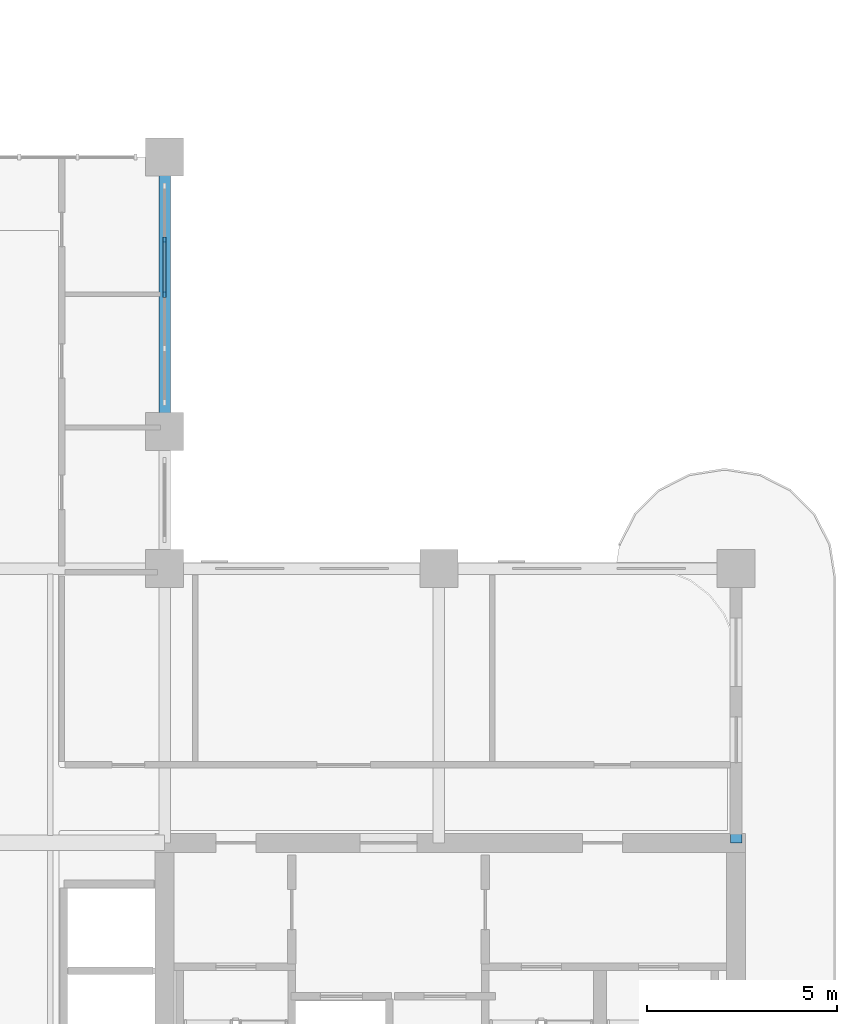
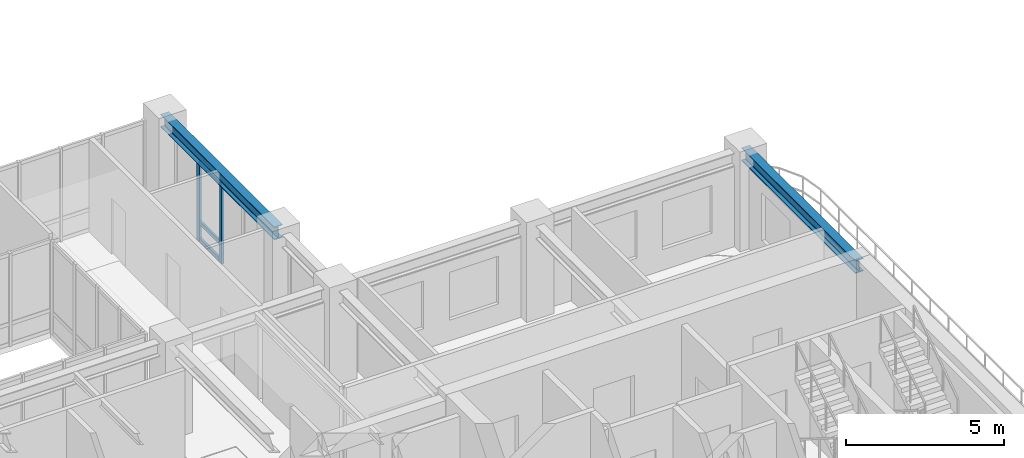
# One storey, part 4 of 20: 5 members, 2 beams, 1 element without a shape of its own.
"""IFC4 building model written with IfcOpenShell, lengths in metres."""

import ifcopenshell
import ifcopenshell.guid

model = None  # the IFC model being written
_history = None  # IfcOwnerHistory: only IFC2X3 demands one
_inside = {}  # id of a spatial element -> (the spatial element, [elements in it])
_under = {}  # id of a project, library or spatial element -> (it, [spatial elements below it])
_declared = {}  # id of a project -> (the project, [libraries it declares])
_typed = {}  # id of a type object -> (the type object, [elements of that type])
_made_of = {}  # id of a material, layer set ... -> (it, [elements and type objects made of it])


def new_model(schema):
    """Start an empty IFC model of exactly this schema.

    Asked for "IFC4X3", IfcOpenShell would pick the latest addendum, in which some entities
    have other attributes; the version numbers below select the first issue.
    IFC2X3 requires an IfcOwnerHistory on every rooted entity: one is made here for all.
    """
    global model, _history
    if schema == "IFC4X3":
        model = ifcopenshell.file(schema_version=(4, 3, 0, 0))
    else:
        model = ifcopenshell.file(schema=schema)
    _inside.clear()
    _under.clear()
    _declared.clear()
    _typed.clear()
    _made_of.clear()
    _history = None
    if model.schema == "IFC2X3":
        org = make("IfcOrganization", Name="unknown")
        user = make(
            "IfcPersonAndOrganization",
            ThePerson=make("IfcPerson", FamilyName="unknown"),
            TheOrganization=org,
        )
        app = make(
            "IfcApplication",
            ApplicationDeveloper=org,
            Version="unknown",
            ApplicationFullName="unknown",
            ApplicationIdentifier="unknown",
        )
        _history = make(
            "IfcOwnerHistory",
            OwningUser=user,
            OwningApplication=app,
            ChangeAction="ADDED",
            CreationDate=0,
        )
    return model


def make(cls, **values):
    """One entity of the class cls with the attributes given. An attribute that is None is left unset."""
    return model.create_entity(
        cls, **{name: value for name, value in values.items() if value is not None}
    )


def rooted(cls, **values):
    """An entity with a GlobalId (a new one), such as an element, a storey or a relation."""
    return make(cls, GlobalId=ifcopenshell.guid.new(), OwnerHistory=_history, **values)


def si_unit(unit_type, name, prefix=None):
    """IfcSIUnit, for example si_unit("LENGTHUNIT", "METRE", prefix="MILLI")."""
    return make("IfcSIUnit", UnitType=unit_type, Prefix=prefix, Name=name)


def derived_unit(unit_type, elements):
    """IfcDerivedUnit: a product of units, each with its exponent."""
    return make(
        "IfcDerivedUnit",
        Elements=[
            make("IfcDerivedUnitElement", Unit=unit, Exponent=power)
            for unit, power in elements
        ],
        UnitType=unit_type,
    )


def assignment(units):
    """IfcUnitAssignment: the units of a project."""
    return None if units is None else make("IfcUnitAssignment", Units=units)


def point(xyz):
    """IfcCartesianPoint."""
    return None if xyz is None else make("IfcCartesianPoint", Coordinates=xyz)


def direction(xyz):
    """IfcDirection."""
    return None if xyz is None else make("IfcDirection", DirectionRatios=xyz)


def frame(location, z_axis=None, x_axis=None):
    """IfcAxis2Placement3D, a coordinate frame: its origin and axes. An axis left out is left unset."""
    return make(
        "IfcAxis2Placement3D",
        Location=point(location),
        Axis=direction(z_axis),
        RefDirection=direction(x_axis),
    )


def frame_2d(location, x_axis=None):
    """IfcAxis2Placement2D, a coordinate frame in the plane: its origin and x axis."""
    return make(
        "IfcAxis2Placement2D", Location=point(location), RefDirection=direction(x_axis)
    )


def origin():
    """The frame at (0, 0, 0) with its axes left unset."""
    return frame((0.0, 0.0, 0.0))


def origin_2d():
    """The frame at (0, 0) in the plane with its x axis left unset."""
    return frame_2d((0.0, 0.0))


def place(relative_to, where):
    """IfcLocalPlacement: puts the frame where relative to a parent placement (None: the world)."""
    return make(
        "IfcLocalPlacement", PlacementRelTo=relative_to, RelativePlacement=where
    )


def context(
    kind, dimensions, precision=None, world=None, true_north=None, identifier=None
):
    """IfcGeometricRepresentationContext, for example the 3D "Model" context."""
    return make(
        "IfcGeometricRepresentationContext",
        ContextIdentifier=identifier,
        ContextType=kind,
        CoordinateSpaceDimension=dimensions,
        Precision=precision,
        WorldCoordinateSystem=world,
        TrueNorth=true_north,
    )


def subcontext(parent, identifier, kind, view, scale=None):
    """IfcGeometricRepresentationSubContext, for example "Body" below "Model"."""
    return make(
        "IfcGeometricRepresentationSubContext",
        ContextIdentifier=identifier,
        ContextType=kind,
        ParentContext=parent,
        TargetScale=scale,
        TargetView=view,
    )


def project(units=None, contexts=None):
    """IfcProject with its units and contexts."""
    return rooted(
        "IfcProject",
        Name="project",
        RepresentationContexts=contexts,
        UnitsInContext=assignment(units),
    )


def spatial(cls, under=None, at=None, **own):
    """A site, building, storey or space (cls), placed at a placement, below another one or the project."""
    s = rooted(cls, ObjectPlacement=at, **own)
    if under is not None:
        _under.setdefault(under.id(), (under, []))[1].append(s)
    return s


def profile(cls, at=None, kind="AREA", **sizes):
    """A parametric profile (cls). Its sizes go by their IFC names, for example OverallWidth=200.0."""
    return make(cls, ProfileType=kind, Position=at, **sizes)


def rectangle(**sizes):
    """IfcRectangleProfileDef."""
    return profile("IfcRectangleProfileDef", **sizes)


def i_section(**sizes):
    """IfcIShapeProfileDef."""
    return profile("IfcIShapeProfileDef", **sizes)


def extrude(swept, where, along, depth):
    """IfcExtrudedAreaSolid: the profile swept, set in the frame where, extruded along a direction by depth."""
    return make(
        "IfcExtrudedAreaSolid",
        SweptArea=swept,
        Position=where,
        ExtrudedDirection=direction(along),
        Depth=depth,
    )


def shape(context_of_items, identifier, shape_type, items):
    """IfcShapeRepresentation: the items that make up one representation, for example the "Body"."""
    return make(
        "IfcShapeRepresentation",
        ContextOfItems=context_of_items,
        RepresentationIdentifier=identifier,
        RepresentationType=shape_type,
        Items=items,
    )


def source(mapping_origin, context_of_items, identifier, shape_type, items):
    """IfcRepresentationMap: a shape defined once, which mapped items show again and again."""
    return make(
        "IfcRepresentationMap",
        MappingOrigin=mapping_origin,
        MappedRepresentation=shape(context_of_items, identifier, shape_type, items),
    )


def transform(
    local_origin,
    x_axis=None,
    y_axis=None,
    z_axis=None,
    scale=None,
    scale2=None,
    scale3=None,
    uniform=True,
):
    """IfcCartesianTransformationOperator3D, or its non-uniform kind. x_axis, y_axis, z_axis: its Axis1, 2, 3."""
    if uniform:
        return make(
            "IfcCartesianTransformationOperator3D",
            Axis1=direction(x_axis),
            Axis2=direction(y_axis),
            LocalOrigin=point(local_origin),
            Scale=scale,
            Axis3=direction(z_axis),
        )
    return make(
        "IfcCartesianTransformationOperator3DnonUniform",
        Axis1=direction(x_axis),
        Axis2=direction(y_axis),
        LocalOrigin=point(local_origin),
        Scale=scale,
        Axis3=direction(z_axis),
        Scale2=scale2,
        Scale3=scale3,
    )


def mapped(mapping_source, mapping_target):
    """IfcMappedItem: shows the shape of a source again, moved by a transform."""
    return make(
        "IfcMappedItem", MappingSource=mapping_source, MappingTarget=mapping_target
    )


def material(Name=None, Category=None):
    """IfcMaterial."""
    return make("IfcMaterial", Name=Name, Category=Category)


def layer(
    of_material, thickness, ventilated=None, Name=None, Category=None, Priority=None
):
    """IfcMaterialLayer: one layer of a wall or slab, of a material (None: an air gap)."""
    return make(
        "IfcMaterialLayer",
        Material=of_material,
        LayerThickness=thickness,
        IsVentilated=ventilated,
        Name=Name,
        Category=Category,
        Priority=Priority,
    )


def layer_set(layers, Name=None):
    """IfcMaterialLayerSet."""
    return make("IfcMaterialLayerSet", MaterialLayers=layers, LayerSetName=Name)


def material_profile(
    of_material, cross_section, Name=None, Category=None, Priority=None
):
    """IfcMaterialProfile: a cross section and its material."""
    return make(
        "IfcMaterialProfile",
        Name=Name,
        Material=of_material,
        Profile=cross_section,
        Priority=Priority,
        Category=Category,
    )


def profile_set(profiles, Name=None, composite=None):
    """IfcMaterialProfileSet."""
    return make(
        "IfcMaterialProfileSet",
        Name=Name,
        MaterialProfiles=profiles,
        CompositeProfile=composite,
    )


def made_of(thing, what):
    """Note that an element or type object is made of a material, layer set ...; save() writes the relation."""
    if what is not None:
        _made_of.setdefault(what.id(), (what, []))[1].append(thing)
    return thing


def type_object(cls, material=None, **own):
    """A type object (cls), such as IfcWallType, which elements share."""
    return made_of(rooted(cls, **own), material)


def type_shapes(of_type, sources):
    """Give a type object the sources (RepresentationMaps) that its elements show as mapped items."""
    of_type.RepresentationMaps = sources


def element(
    cls,
    number,
    at=None,
    inside=None,
    cuts=None,
    type_object=None,
    material=None,
    context=None,
    identifier="Body",
    shape_type=None,
    held_by="IfcProductDefinitionShape",
    body=None,
    shapes=None,
    **own,
):
    """One element of the class cls, such as IfcWall. Its Tag is "e" and its number.

    at: its placement. inside: the storey or other place that contains it. cuts: it is an
    opening in that element (IfcRelVoidsElement). A single representation is given by context,
    identifier, shape_type and body (its items); several are given by shapes. held_by: the class
    of the entity that holds the representations. save() writes the other relations.
    """
    e = rooted(cls, Tag="e%d" % number, ObjectPlacement=at, **own)
    if body is not None:
        shapes = [shape(context, identifier, shape_type, body)]
    if shapes is not None:
        e.Representation = make(held_by, Representations=shapes)
    if inside is not None:
        _inside.setdefault(inside.id(), (inside, []))[1].append(e)
    if cuts is not None:
        rooted(
            "IfcRelVoidsElement", RelatingBuildingElement=cuts, RelatedOpeningElement=e
        )
    if type_object is not None:
        _typed.setdefault(type_object.id(), (type_object, []))[1].append(e)
    return made_of(e, material)


def aggregate(whole, parts):
    """IfcRelAggregates: a whole, such as a stair, and the parts it consists of."""
    return rooted("IfcRelAggregates", RelatingObject=whole, RelatedObjects=parts)


def save(model, path):
    """Write the relations noted so far, then the file.

    IfcRelAggregates (storeys below a building ...), IfcRelContainedInSpatialStructure (elements
    in a storey), IfcRelDefinesByType, IfcRelAssociatesMaterial and IfcRelDeclares: one each for
    every whole, place, type object, material and project.
    """
    for whole, parts in _under.values():
        aggregate(whole, parts)
    for where, things in _inside.values():
        rooted(
            "IfcRelContainedInSpatialStructure",
            RelatedElements=things,
            RelatingStructure=where,
        )
    for kind, things in _typed.values():
        rooted("IfcRelDefinesByType", RelatedObjects=things, RelatingType=kind)
    for what, things in _made_of.values():
        rooted("IfcRelAssociatesMaterial", RelatedObjects=things, RelatingMaterial=what)
    for by, libraries in _declared.values():
        rooted("IfcRelDeclares", RelatingContext=by, RelatedDefinitions=libraries)
    model.write(path)


model = new_model("IFC4")

# Units and contexts
model_context = context("Model", 3, precision=1e-05, world=origin(), true_north=direction((0.0, 1.0)))
body_context = subcontext(model_context, "Body", "Model", "MODEL_VIEW")
ifc_project = project(units=[si_unit("LENGTHUNIT", "METRE"), si_unit("AREAUNIT", "SQUARE_METRE"), si_unit("VOLUMEUNIT", "CUBIC_METRE"), si_unit("PLANEANGLEUNIT", "RADIAN"), si_unit("MASSUNIT", "GRAM", prefix="KILO"), si_unit("THERMODYNAMICTEMPERATUREUNIT", "KELVIN"), si_unit("POWERUNIT", "WATT"), derived_unit("THERMALTRANSMITTANCEUNIT", [(si_unit("POWERUNIT", "WATT"), 1), (si_unit("AREAUNIT", "SQUARE_METRE"), -1), (si_unit("THERMODYNAMICTEMPERATUREUNIT", "KELVIN"), -1)])], contexts=[model_context])

# Site, building, storey
site_placement = place(None, origin())
site = spatial("IfcSite", under=ifc_project, at=site_placement, CompositionType="ELEMENT")
building_placement = place(site_placement, origin())
building = spatial("IfcBuilding", under=site, at=building_placement, Name="Zahravan Archway Hotel and Residences", CompositionType="ELEMENT")
storey_placement = place(building_placement, frame((0.0, 0.0, 177.25)))
storey = spatial("IfcBuildingStorey", under=building, at=storey_placement, Name="L44", CompositionType="ELEMENT", Elevation=177.25)

# Beams
ifc_material_1 = material(Name="Structural Steel S355JR", Category="steel")
ifc_material_profile_1 = material_profile(ifc_material_1, i_section(OverallWidth=0.300048828125, OverallDepth=0.5, WebThickness=0.014404296875, FlangeThickness=0.028076171875, FilletRadius=0.027099609375, at=origin_2d()), Name="HEB 500", Category="steel")
ifc_profile_set_1 = profile_set([ifc_material_profile_1], Name="Structural Steel S355JR")
beam_type = type_object("IfcBeamType", Name="BM-PRI-HEB500", PredefinedType="BEAM", material=ifc_profile_set_1)
shared_shape_1 = source(origin(), body_context, "Body", "SweptSolid", [
    extrude(i_section(OverallWidth=0.300048828125, OverallDepth=0.5, WebThickness=0.014404296875, FlangeThickness=0.028076171875, FilletRadius=0.027099609375, at=origin_2d()), origin(), (0.0, 0.0, 1.0), 7.2001953125),
])
type_shapes(beam_type, [shared_shape_1])
beam_1_placement = place(storey_placement, frame((49.800048828125, 14.39990234375, 3.35009765625), z_axis=(0.0, 1.0, 0.0), x_axis=(-1.0, 0.0, 0.0)))
element("IfcBeam", 1, at=beam_1_placement, inside=storey, type_object=beam_type, Name="L44 Primary Girder NS-44", PredefinedType="BEAM", context=body_context, shape_type="MappedRepresentation", body=[
    mapped(shared_shape_1, transform((0.0, 0.0, 0.0), scale=1.0)),
])
shared_shape_2 = source(origin(), body_context, "Body", "SweptSolid", [
    extrude(i_section(OverallWidth=0.300048828125, OverallDepth=0.5, WebThickness=0.014404296875, FlangeThickness=0.028076171875, FilletRadius=0.027099609375, at=origin_2d()), origin(), (0.0, 0.0, 1.0), 7.199951171875),
])
beam_2_placement = place(storey_placement, frame((34.800048828125, 25.199951171875, 3.35009765625), z_axis=(0.0, 1.0, 0.0), x_axis=(-1.0, 0.0, 0.0)))
element("IfcBeam", 2, at=beam_2_placement, inside=storey, type_object=beam_type, Name="L44 Primary Girder NS-42", PredefinedType="BEAM", context=body_context, shape_type="MappedRepresentation", body=[
    mapped(shared_shape_2, transform((0.0, 0.0, 0.0), scale=1.0)),
])

# Curtain wall, members
ifc_material_2 = material(Name="Bronze-Anodized Unitised Aluminium & Low-E Glass", Category="aluminium")
ifc_layer = layer(ifc_material_2, 0.179931640625, Name="Bronze-Anodized Unitised Aluminium & Low-E Glass", Category="aluminium")
ifc_layer_set = layer_set([ifc_layer], Name="Bronze-Anodized Unitised Aluminium & Low-E Glass")
curtain_wall_type = type_object("IfcCurtainWallType", Name="CW-ATR-GLAZ", PredefinedType="NOTDEFINED", material=ifc_layer_set)
curtain_wall_placement = place(storey_placement, origin())
curtain_wall = element("IfcCurtainWall", 3, at=curtain_wall_placement, inside=storey, type_object=curtain_wall_type, Name="L44 Curtain Wall CW-L44-HNG-E-2", PredefinedType="NOTDEFINED")
ifc_material_3 = material(Name="Bronze-Anodized Extruded Aluminium", Category="aluminium")
ifc_material_profile_2 = material_profile(ifc_material_3, rectangle(XDim=0.080078125, YDim=0.139892578125, at=origin_2d()), Name="TRN 80x140", Category="aluminium")
ifc_profile_set_2 = profile_set([ifc_material_profile_2], Name="Bronze-Anodized Extruded Aluminium")
member_type_1 = type_object("IfcMemberType", Name="CWM-TRN-140", PredefinedType="USERDEFINED", material=ifc_profile_set_2)
shared_shape_3 = source(origin(), body_context, "Body", "SweptSolid", [
    extrude(rectangle(XDim=0.080078125, YDim=0.139892578125, at=origin_2d()), origin(), (0.0, 0.0, 1.0), 1.33984375),
])
member_1_placement = place(storey_placement, frame((34.800048828125, 28.840087890625, 0.070068359375), z_axis=(0.0, 1.0, 0.0), x_axis=(-1.0, 0.0, 0.0)))
member_1 = element("IfcMember", 4, at=member_1_placement, type_object=member_type_1, Name="CW-L44-HNG-E-2 Transom 2-1", ObjectType="TRANSOM", PredefinedType="USERDEFINED", context=body_context, shape_type="MappedRepresentation", body=[
    mapped(shared_shape_3, transform((0.0, 0.0, 0.0), scale=1.0)),
])
member_2_placement = place(storey_placement, frame((34.800048828125, 28.840087890625, 0.740478515625), z_axis=(0.0, 1.0, 0.0), x_axis=(-1.0, 0.0, 0.0)))
member_2 = element("IfcMember", 5, at=member_2_placement, type_object=member_type_1, Name="CW-L44-HNG-E-2 Transom 2-2", ObjectType="TRANSOM", PredefinedType="USERDEFINED", context=body_context, shape_type="MappedRepresentation", body=[
    mapped(shared_shape_3, transform((0.0, 0.0, 0.0), scale=1.0)),
])
member_3_placement = place(storey_placement, frame((34.800048828125, 28.840087890625, 3.014892578125), z_axis=(0.0, 1.0, 0.0), x_axis=(-1.0, 0.0, 0.0)))
member_3 = element("IfcMember", 6, at=member_3_placement, type_object=member_type_1, Name="CW-L44-HNG-E-2 Transom 2-3", ObjectType="TRANSOM", PredefinedType="USERDEFINED", context=body_context, shape_type="MappedRepresentation", body=[
    mapped(shared_shape_3, transform((0.0, 0.0, 0.0), scale=1.0)),
])
ifc_material_profile_3 = material_profile(ifc_material_3, rectangle(XDim=0.080078125, YDim=0.159912109375, at=origin_2d()), Name="MUL 80x160", Category="aluminium")
ifc_profile_set_3 = profile_set([ifc_material_profile_3], Name="Bronze-Anodized Extruded Aluminium")
member_type_2 = type_object("IfcMemberType", Name="CWM-MUL-160", PredefinedType="MULLION", material=ifc_profile_set_3)
shared_shape_4 = source(origin(), body_context, "Body", "SweptSolid", [
    extrude(rectangle(XDim=0.080078125, YDim=0.159912109375, at=origin_2d()), origin(), (0.0, 0.0, 1.0), 3.0849609375),
])
member_4_placement = place(storey_placement, frame((34.800048828125, 28.800048828125, 0.0), z_axis=(0.0, 0.0, 1.0), x_axis=(1.0, 0.0, 0.0)))
member_4 = element("IfcMember", 7, at=member_4_placement, type_object=member_type_2, Name="CW-L44-HNG-E-2 Mullion 2", PredefinedType="MULLION", context=body_context, shape_type="MappedRepresentation", body=[
    mapped(shared_shape_4, transform((0.0, 0.0, 0.0), scale=1.0)),
])
member_5_placement = place(storey_placement, frame((34.800048828125, 30.219970703125, 0.0), z_axis=(0.0, 0.0, 1.0), x_axis=(1.0, 0.0, 0.0)))
member_5 = element("IfcMember", 8, at=member_5_placement, type_object=member_type_2, Name="CW-L44-HNG-E-2 Mullion 3", PredefinedType="MULLION", context=body_context, shape_type="MappedRepresentation", body=[
    mapped(shared_shape_4, transform((0.0, 0.0, 0.0), scale=1.0)),
])
aggregate(curtain_wall, [member_4, member_5, member_1, member_2, member_3])

save(model, "model.ifc")
